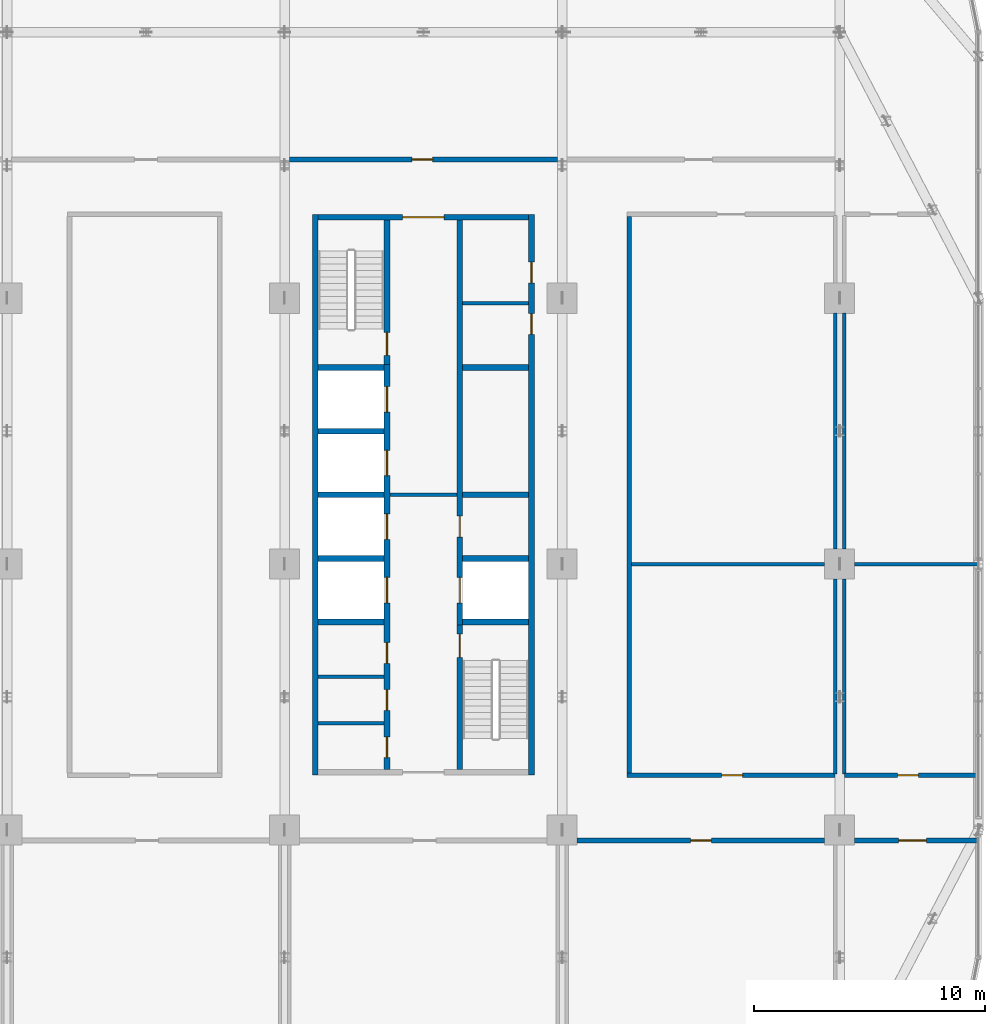
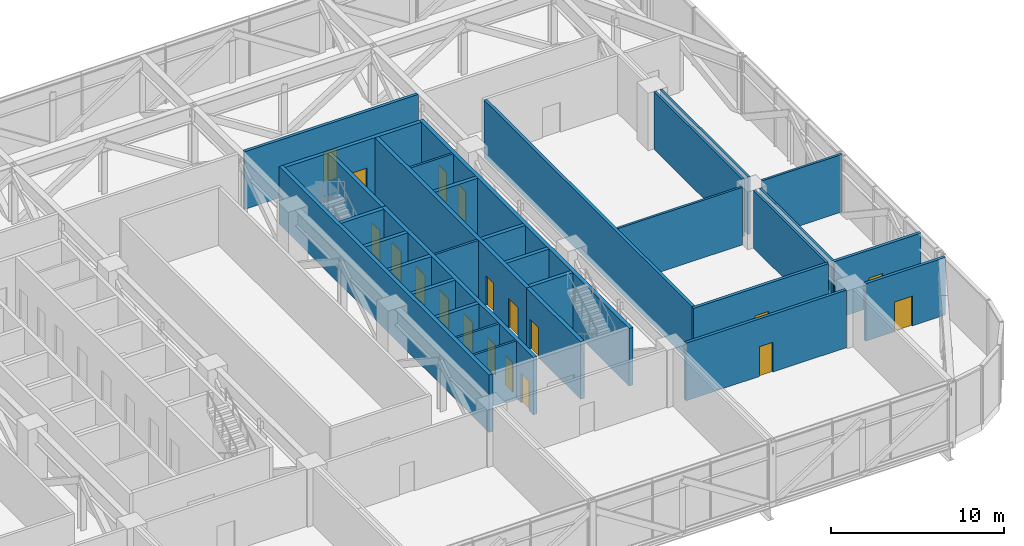
# One storey, part 20 of 30: 32 walls, 19 doors, 19 openings.
"""IFC4 building model written with IfcOpenShell, lengths in metres."""

from ifc_helpers import new_model, si_unit, direction, frame, frame_2d, origin, place, context, subcontext, project, spatial, rectangle, extrude, material, layer, layer_set, type_object, element, fill, save


model = new_model("IFC4")

# Units and contexts
model_context = context("Model", 3, precision=1e-05, world=origin(), true_north=direction((0.0, 1.0)))
body_context = subcontext(model_context, "Body", "Model", "MODEL_VIEW")
ifc_project = project(units=[si_unit("LENGTHUNIT", "METRE"), si_unit("AREAUNIT", "SQUARE_METRE"), si_unit("VOLUMEUNIT", "CUBIC_METRE"), si_unit("PLANEANGLEUNIT", "RADIAN"), si_unit("MASSUNIT", "GRAM", prefix="KILO")], contexts=[model_context])

# Site, building, storey
site_placement = place(None, origin())
site = spatial("IfcSite", under=ifc_project, at=site_placement, CompositionType="ELEMENT")
building_placement = place(site_placement, origin())
building = spatial("IfcBuilding", under=site, at=building_placement, Name="Mahtab Terrace Research Tower", CompositionType="ELEMENT")
storey_placement = place(building_placement, frame((0.0, 0.0, 154.800048828125)))
storey = spatial("IfcBuildingStorey", under=building, at=storey_placement, Name="L36", CompositionType="ELEMENT", Elevation=154.800048828125)

# Walls
ifc_material_1 = material(Name="Gypsum board partition")
ifc_layer_1 = layer(ifc_material_1, 0.14990234375)
ifc_layer_set_1 = layer_set([ifc_layer_1], Name="Core partition 150")
wall_type_1 = type_object("IfcWallType", Name="Core partition 150", PredefinedType="PARTITIONING", material=ifc_layer_set_1)
wall_1_placement = place(storey_placement, frame((22.550048828125, 3.0, 0.0), z_axis=(0.0, 0.0, 1.0), x_axis=(1.0, 0.0, 0.0)))
element("IfcWall", 1, at=wall_1_placement, inside=storey, type_object=wall_type_1, Name="Core wall C ffl", PredefinedType="PARTITIONING", context=body_context, shape_type="SweptSolid", body=[
    extrude(rectangle(XDim=2.89990234375, YDim=0.14990234375, at=frame_2d((1.449951171875, 0.0))), origin(), (0.0, 0.0, 1.0), 4.06005859375),
])
for number, where, z_axis, x_axis, name in (
    (2, (19.449951171875, -6.875, 0.0), (0.0, 0.0, 1.0), (1.0, 0.0, 0.0), "Core wall C pWS-988"),
    (3, (19.449951171875, -4.875, 0.0), (0.0, 0.0, 1.0), (1.0, 0.0, 0.0), "Core wall C pWS-788"),
    (4, (25.699951171875, 11.27490234375, 0.0), (0.0, 0.0, 1.0), (1.0, 0.0, 0.0), "Core wall C pEN828"),
):
    element("IfcWall", number, at=place(storey_placement, frame(where, z_axis=z_axis, x_axis=x_axis)), inside=storey, type_object=wall_type_1, Name=name, PredefinedType="PARTITIONING", context=body_context, shape_type="SweptSolid", body=[
        extrude(rectangle(XDim=2.85009765625, YDim=0.14990234375, at=frame_2d((1.425048828125, 0.0))), origin(), (0.0, 0.0, 1.0), 4.06005859375),
    ])
ifc_material_2 = material(Name="Concrete C70/85", Category="concrete")
ifc_layer_2 = layer(ifc_material_2, 0.25)
ifc_layer_set_2 = layer_set([ifc_layer_2], Name="Core wall 250")
wall_type_2 = type_object("IfcWallType", Name="Core wall 250", PredefinedType="SOLIDWALL", material=ifc_layer_set_2)
wall_2_placement = place(storey_placement, frame((19.324951171875, 15.125, 0.0), z_axis=(0.0, 0.0, 1.0), x_axis=(0.0, -1.0, 0.0)))
element("IfcWall", 5, at=wall_2_placement, inside=storey, type_object=wall_type_2, Name="Core wall C outerW", PredefinedType="SOLIDWALL", context=body_context, shape_type="SweptSolid", body=[
    extrude(rectangle(XDim=24.25, YDim=0.25, at=frame_2d((12.125, 0.0))), origin(), (0.0, 0.0, 1.0), 4.06005859375),
])

# Wall, openings, doors
wall_3_placement = place(storey_placement, frame((28.675048828125, -9.125, 0.0), z_axis=(0.0, 0.0, 1.0), x_axis=(0.0, 1.0, 0.0)))
wall_3 = element("IfcWall", 6, at=wall_3_placement, inside=storey, type_object=wall_type_2, Name="Core wall C outerE", PredefinedType="SOLIDWALL", context=body_context, shape_type="SweptSolid", body=[
    extrude(rectangle(XDim=24.25, YDim=0.25, at=frame_2d((12.125, 0.0))), origin(), (0.0, 0.0, 1.0), 4.06005859375),
])
opening_1_placement = place(wall_3_placement, frame((19.0615234375, 0.0, 0.0)))
opening_1 = element("IfcOpeningElement", 7, at=opening_1_placement, cuts=wall_3, Name="Opening C-R6", PredefinedType="OPENING", context=body_context, shape_type="SweptSolid", body=[
    extrude(rectangle(XDim=0.89990234375, YDim=2.10009765625, at=frame_2d((0.449951171875, 1.050048828125))), frame((0.0, 0.135009765625, 0.0), z_axis=(0.0, -1.0, 0.0), x_axis=(1.0, 0.0, 0.0)), (0.0, 0.0, 1.0), 0.27001953125),
])
opening_2_placement = place(wall_3_placement, frame((21.28857421875, 0.0, 0.0)))
opening_2 = element("IfcOpeningElement", 8, at=opening_2_placement, cuts=wall_3, Name="Opening C-R7", PredefinedType="OPENING", context=body_context, shape_type="SweptSolid", body=[
    extrude(rectangle(XDim=0.89990234375, YDim=2.10009765625, at=frame_2d((0.449951171875, 1.050048828125))), frame((0.0, 0.135009765625, 0.0), z_axis=(0.0, -1.0, 0.0), x_axis=(1.0, 0.0, 0.0)), (0.0, 0.0, 1.0), 0.27001953125),
])
ifc_material_3 = material(Name="Steel fire door", Category="steel")
door_type_1 = type_object("IfcDoorType", Name="Room door 900x2100 1 HR", OperationType="NOTDEFINED", PredefinedType="DOOR", material=ifc_material_3)
door_1_placement = place(opening_1_placement, origin())
door_1 = element("IfcDoor", 9, at=door_1_placement, inside=storey, type_object=door_type_1, Name="Mechanical riser room door", OperationType="SINGLE_SWING_LEFT", OverallHeight=2.10009765625, OverallWidth=0.89990234375, PredefinedType="DOOR", context=body_context, shape_type="SweptSolid", body=[
    extrude(rectangle(XDim=0.89990234375, YDim=2.10009765625, at=frame_2d((0.449951171875, 1.050048828125))), frame((0.0, 0.02490234375, 0.0), z_axis=(0.0, -1.0, 0.0), x_axis=(1.0, 0.0, 0.0)), (0.0, 0.0, 1.0), 0.050048828125),
])
fill(opening_1, door_1)
door_2_placement = place(opening_2_placement, origin())
door_2 = element("IfcDoor", 10, at=door_2_placement, inside=storey, type_object=door_type_1, Name="Chemical store door", OperationType="SINGLE_SWING_RIGHT", OverallHeight=2.10009765625, OverallWidth=0.89990234375, PredefinedType="DOOR", context=body_context, shape_type="SweptSolid", body=[
    extrude(rectangle(XDim=0.89990234375, YDim=2.10009765625, at=frame_2d((0.449951171875, 1.050048828125))), frame((0.0, 0.02490234375, 0.0), z_axis=(0.0, -1.0, 0.0), x_axis=(1.0, 0.0, 0.0)), (0.0, 0.0, 1.0), 0.050048828125),
])
fill(opening_2, door_2)

# Wall, opening, door
wall_4_placement = place(storey_placement, frame((19.449951171875, 15.0, 0.0), z_axis=(0.0, 0.0, 1.0), x_axis=(1.0, 0.0, 0.0)))
wall_4 = element("IfcWall", 11, at=wall_4_placement, inside=storey, type_object=wall_type_2, Name="Core wall C endN", PredefinedType="SOLIDWALL", context=body_context, shape_type="SweptSolid", body=[
    extrude(rectangle(XDim=9.10009765625, YDim=0.25, at=frame_2d((4.550048828125, 0.0))), origin(), (0.0, 0.0, 1.0), 4.06005859375),
])
opening_3_placement = place(wall_4_placement, frame((3.64990234375, 0.0, 0.0)))
opening_3 = element("IfcOpeningElement", 12, at=opening_3_placement, cuts=wall_4, Name="Opening C-N1", PredefinedType="OPENING", context=body_context, shape_type="SweptSolid", body=[
    extrude(rectangle(XDim=1.800048828125, YDim=2.10009765625, at=frame_2d((0.89990234375, 1.050048828125))), frame((0.0, 0.135009765625, 0.0), z_axis=(0.0, -1.0, 0.0), x_axis=(1.0, 0.0, 0.0)), (0.0, 0.0, 1.0), 0.27001953125),
])
door_type_2 = type_object("IfcDoorType", Name="Lobby double door 1800x2100 1 HR", OperationType="DOUBLE_DOOR_SINGLE_SWING", PredefinedType="DOOR", material=ifc_material_3)
door_3_placement = place(opening_3_placement, origin())
door_3 = element("IfcDoor", 13, at=door_3_placement, inside=storey, type_object=door_type_2, Name="Core entrance door C N", OperationType="DOUBLE_DOOR_SINGLE_SWING", OverallHeight=2.10009765625, OverallWidth=1.800048828125, PredefinedType="DOOR", context=body_context, shape_type="SweptSolid", body=[
    extrude(rectangle(XDim=1.800048828125, YDim=2.10009765625, at=frame_2d((0.89990234375, 1.050048828125))), frame((0.0, 0.02490234375, 0.0), z_axis=(0.0, -1.0, 0.0), x_axis=(1.0, 0.0, 0.0)), (0.0, 0.0, 1.0), 0.050048828125),
])
fill(opening_3, door_3)

# Wall, openings, doors
wall_5_placement = place(storey_placement, frame((22.425048828125, -8.875, 0.0), z_axis=(0.0, 0.0, 1.0), x_axis=(0.0, 1.0, 0.0)))
wall_5 = element("IfcWall", 14, at=wall_5_placement, inside=storey, type_object=wall_type_2, Name="Core wall C innerWSL", PredefinedType="SOLIDWALL", context=body_context, shape_type="SweptSolid", body=[
    extrude(rectangle(XDim=17.5, YDim=0.25, at=frame_2d((8.75, 0.0))), origin(), (0.0, 0.0, 1.0), 4.06005859375),
])
opening_4_placement = place(wall_5_placement, frame((7.199951171875, 0.0, 0.0)))
opening_4 = element("IfcOpeningElement", 15, at=opening_4_placement, cuts=wall_5, Name="Opening LD17-L36", PredefinedType="OPENING", context=body_context, shape_type="SweptSolid", body=[
    extrude(rectangle(XDim=1.10009765625, YDim=2.10009765625, at=frame_2d((0.550048828125, 1.050048828125))), frame((0.0, 0.135009765625, 0.0), z_axis=(0.0, -1.0, 0.0), x_axis=(1.0, 0.0, 0.0)), (0.0, 0.0, 1.0), 0.27001953125),
])
opening_5_placement = place(wall_5_placement, frame((9.949951171875, 0.0, 0.0)))
opening_5 = element("IfcOpeningElement", 16, at=opening_5_placement, cuts=wall_5, Name="Opening LD18-L36", PredefinedType="OPENING", context=body_context, shape_type="SweptSolid", body=[
    extrude(rectangle(XDim=1.10009765625, YDim=2.10009765625, at=frame_2d((0.550048828125, 1.050048828125))), frame((0.0, 0.135009765625, 0.0), z_axis=(0.0, -1.0, 0.0), x_axis=(1.0, 0.0, 0.0)), (0.0, 0.0, 1.0), 0.27001953125),
])
opening_6_placement = place(wall_5_placement, frame((12.699951171875, 0.0, 0.0)))
opening_6 = element("IfcOpeningElement", 17, at=opening_6_placement, cuts=wall_5, Name="Opening LD19-L36", PredefinedType="OPENING", context=body_context, shape_type="SweptSolid", body=[
    extrude(rectangle(XDim=1.10009765625, YDim=2.10009765625, at=frame_2d((0.550048828125, 1.050048828125))), frame((0.0, 0.135009765625, 0.0), z_axis=(0.0, -1.0, 0.0), x_axis=(1.0, 0.0, 0.0)), (0.0, 0.0, 1.0), 0.27001953125),
])
opening_7_placement = place(wall_5_placement, frame((15.449951171875, 0.0, 0.0)))
opening_7 = element("IfcOpeningElement", 18, at=opening_7_placement, cuts=wall_5, Name="Opening LD20-L36", PredefinedType="OPENING", context=body_context, shape_type="SweptSolid", body=[
    extrude(rectangle(XDim=1.10009765625, YDim=2.10009765625, at=frame_2d((0.550048828125, 1.050048828125))), frame((0.0, 0.135009765625, 0.0), z_axis=(0.0, -1.0, 0.0), x_axis=(1.0, 0.0, 0.0)), (0.0, 0.0, 1.0), 0.27001953125),
])
opening_8_placement = place(wall_5_placement, frame((0.512451171875, 0.0, 0.0)))
opening_8 = element("IfcOpeningElement", 19, at=opening_8_placement, cuts=wall_5, Name="Opening C-R3", PredefinedType="OPENING", context=body_context, shape_type="SweptSolid", body=[
    extrude(rectangle(XDim=0.89990234375, YDim=2.10009765625, at=frame_2d((0.449951171875, 1.050048828125))), frame((0.0, 0.135009765625, 0.0), z_axis=(0.0, -1.0, 0.0), x_axis=(1.0, 0.0, 0.0)), (0.0, 0.0, 1.0), 0.27001953125),
])
opening_9_placement = place(wall_5_placement, frame((2.550048828125, 0.0, 0.0)))
opening_9 = element("IfcOpeningElement", 20, at=opening_9_placement, cuts=wall_5, Name="Opening C-R4", PredefinedType="OPENING", context=body_context, shape_type="SweptSolid", body=[
    extrude(rectangle(XDim=0.89990234375, YDim=2.10009765625, at=frame_2d((0.449951171875, 1.050048828125))), frame((0.0, 0.135009765625, 0.0), z_axis=(0.0, -1.0, 0.0), x_axis=(1.0, 0.0, 0.0)), (0.0, 0.0, 1.0), 0.27001953125),
])
opening_10_placement = place(wall_5_placement, frame((4.58740234375, 0.0, 0.0)))
opening_10 = element("IfcOpeningElement", 21, at=opening_10_placement, cuts=wall_5, Name="Opening C-R5", PredefinedType="OPENING", context=body_context, shape_type="SweptSolid", body=[
    extrude(rectangle(XDim=0.89990234375, YDim=2.10009765625, at=frame_2d((0.449951171875, 1.050048828125))), frame((0.0, 0.135009765625, 0.0), z_axis=(0.0, -1.0, 0.0), x_axis=(1.0, 0.0, 0.0)), (0.0, 0.0, 1.0), 0.27001953125),
])
ifc_material_4 = material(Name="Stainless steel AISI 304", Category="steel")
door_type_3 = type_object("IfcDoorType", Name="Landing door 1100x2100", OperationType="DOUBLE_DOOR_SLIDING", PredefinedType="DOOR", material=ifc_material_4)
door_4_placement = place(opening_4_placement, origin())
door_4 = element("IfcDoor", 22, at=door_4_placement, inside=storey, type_object=door_type_3, Name="Landing door SV1 L36", OperationType="DOUBLE_DOOR_SLIDING", OverallHeight=2.10009765625, OverallWidth=1.10009765625, PredefinedType="DOOR", context=body_context, shape_type="SweptSolid", body=[
    extrude(rectangle(XDim=1.10009765625, YDim=2.10009765625, at=frame_2d((0.550048828125, 1.050048828125))), frame((0.0, 0.02490234375, 0.0), z_axis=(0.0, -1.0, 0.0), x_axis=(1.0, 0.0, 0.0)), (0.0, 0.0, 1.0), 0.050048828125),
])
fill(opening_4, door_4)
door_5_placement = place(opening_5_placement, origin())
door_5 = element("IfcDoor", 23, at=door_5_placement, inside=storey, type_object=door_type_3, Name="Landing door SV2 L36", OperationType="DOUBLE_DOOR_SLIDING", OverallHeight=2.10009765625, OverallWidth=1.10009765625, PredefinedType="DOOR", context=body_context, shape_type="SweptSolid", body=[
    extrude(rectangle(XDim=1.10009765625, YDim=2.10009765625, at=frame_2d((0.550048828125, 1.050048828125))), frame((0.0, 0.02490234375, 0.0), z_axis=(0.0, -1.0, 0.0), x_axis=(1.0, 0.0, 0.0)), (0.0, 0.0, 1.0), 0.050048828125),
])
fill(opening_5, door_5)
door_6_placement = place(opening_6_placement, origin())
door_6 = element("IfcDoor", 24, at=door_6_placement, inside=storey, type_object=door_type_3, Name="Landing door FF1 L36", OperationType="DOUBLE_DOOR_SLIDING", OverallHeight=2.10009765625, OverallWidth=1.10009765625, PredefinedType="DOOR", context=body_context, shape_type="SweptSolid", body=[
    extrude(rectangle(XDim=1.10009765625, YDim=2.10009765625, at=frame_2d((0.550048828125, 1.050048828125))), frame((0.0, 0.02490234375, 0.0), z_axis=(0.0, -1.0, 0.0), x_axis=(1.0, 0.0, 0.0)), (0.0, 0.0, 1.0), 0.050048828125),
])
fill(opening_6, door_6)
door_7_placement = place(opening_7_placement, origin())
door_7 = element("IfcDoor", 25, at=door_7_placement, inside=storey, type_object=door_type_3, Name="Landing door FF2 L36", OperationType="DOUBLE_DOOR_SLIDING", OverallHeight=2.10009765625, OverallWidth=1.10009765625, PredefinedType="DOOR", context=body_context, shape_type="SweptSolid", body=[
    extrude(rectangle(XDim=1.10009765625, YDim=2.10009765625, at=frame_2d((0.550048828125, 1.050048828125))), frame((0.0, 0.02490234375, 0.0), z_axis=(0.0, -1.0, 0.0), x_axis=(1.0, 0.0, 0.0)), (0.0, 0.0, 1.0), 0.050048828125),
])
fill(opening_7, door_7)
door_8_placement = place(opening_8_placement, origin())
door_8 = element("IfcDoor", 26, at=door_8_placement, inside=storey, type_object=door_type_1, Name="Male WC door", OperationType="SINGLE_SWING_RIGHT", OverallHeight=2.10009765625, OverallWidth=0.89990234375, PredefinedType="DOOR", context=body_context, shape_type="SweptSolid", body=[
    extrude(rectangle(XDim=0.89990234375, YDim=2.10009765625, at=frame_2d((0.449951171875, 1.050048828125))), frame((0.0, 0.02490234375, 0.0), z_axis=(0.0, -1.0, 0.0), x_axis=(1.0, 0.0, 0.0)), (0.0, 0.0, 1.0), 0.050048828125),
])
fill(opening_8, door_8)
door_9_placement = place(opening_9_placement, origin())
door_9 = element("IfcDoor", 27, at=door_9_placement, inside=storey, type_object=door_type_1, Name="Female WC door", OperationType="SINGLE_SWING_LEFT", OverallHeight=2.10009765625, OverallWidth=0.89990234375, PredefinedType="DOOR", context=body_context, shape_type="SweptSolid", body=[
    extrude(rectangle(XDim=0.89990234375, YDim=2.10009765625, at=frame_2d((0.449951171875, 1.050048828125))), frame((0.0, 0.02490234375, 0.0), z_axis=(0.0, -1.0, 0.0), x_axis=(1.0, 0.0, 0.0)), (0.0, 0.0, 1.0), 0.050048828125),
])
fill(opening_9, door_9)
door_10_placement = place(opening_10_placement, origin())
door_10 = element("IfcDoor", 28, at=door_10_placement, inside=storey, type_object=door_type_1, Name="Accessible WC door", OperationType="SINGLE_SWING_RIGHT", OverallHeight=2.10009765625, OverallWidth=0.89990234375, PredefinedType="DOOR", context=body_context, shape_type="SweptSolid", body=[
    extrude(rectangle(XDim=0.89990234375, YDim=2.10009765625, at=frame_2d((0.449951171875, 1.050048828125))), frame((0.0, 0.02490234375, 0.0), z_axis=(0.0, -1.0, 0.0), x_axis=(1.0, 0.0, 0.0)), (0.0, 0.0, 1.0), 0.050048828125),
])
fill(opening_10, door_10)

# Wall, opening, door
wall_6_placement = place(storey_placement, frame((22.425048828125, 14.875, 0.0), z_axis=(0.0, 0.0, 1.0), x_axis=(0.0, -1.0, 0.0)))
wall_6 = element("IfcWall", 29, at=wall_6_placement, inside=storey, type_object=wall_type_2, Name="Core wall C innerWN", PredefinedType="SOLIDWALL", context=body_context, shape_type="SweptSolid", body=[
    extrude(rectangle(XDim=6.25, YDim=0.25, at=frame_2d((3.125, 0.0))), origin(), (0.0, 0.0, 1.0), 4.06005859375),
])
opening_11_placement = place(wall_6_placement, frame((4.85009765625, 0.0, 0.0)))
opening_11 = element("IfcOpeningElement", 30, at=opening_11_placement, cuts=wall_6, Name="Opening C-ST3", PredefinedType="OPENING", context=body_context, shape_type="SweptSolid", body=[
    extrude(rectangle(XDim=1.0, YDim=2.10009765625, at=frame_2d((0.5, 1.050048828125))), frame((0.0, 0.135009765625, 0.0), z_axis=(0.0, -1.0, 0.0), x_axis=(1.0, 0.0, 0.0)), (0.0, 0.0, 1.0), 0.27001953125),
])
door_type_4 = type_object("IfcDoorType", Name="Stair door 1000x2100 1.5 HR", OperationType="NOTDEFINED", PredefinedType="DOOR", material=ifc_material_3)
door_11_placement = place(opening_11_placement, origin())
door_11 = element("IfcDoor", 31, at=door_11_placement, inside=storey, type_object=door_type_4, Name="Stair door ST3 L36", OperationType="SINGLE_SWING_LEFT", OverallHeight=2.10009765625, OverallWidth=1.0, PredefinedType="DOOR", context=body_context, shape_type="SweptSolid", body=[
    extrude(rectangle(XDim=1.0, YDim=2.10009765625, at=frame_2d((0.5, 1.050048828125))), frame((0.0, 0.02490234375, 0.0), z_axis=(0.0, -1.0, 0.0), x_axis=(1.0, 0.0, 0.0)), (0.0, 0.0, 1.0), 0.050048828125),
])
fill(opening_11, door_11)

wall_7_placement = place(storey_placement, frame((25.574951171875, -8.875, 0.0), z_axis=(0.0, 0.0, 1.0), x_axis=(0.0, 1.0, 0.0)))
wall_7 = element("IfcWall", 32, at=wall_7_placement, inside=storey, type_object=wall_type_2, Name="Core wall C innerES", PredefinedType="SOLIDWALL", context=body_context, shape_type="SweptSolid", body=[
    extrude(rectangle(XDim=6.25, YDim=0.25, at=frame_2d((3.125, 0.0))), origin(), (0.0, 0.0, 1.0), 4.06005859375),
])
opening_12_placement = place(wall_7_placement, frame((4.85009765625, 0.0, 0.0)))
opening_12 = element("IfcOpeningElement", 33, at=opening_12_placement, cuts=wall_7, Name="Opening C-ST4", PredefinedType="OPENING", context=body_context, shape_type="SweptSolid", body=[
    extrude(rectangle(XDim=1.0, YDim=2.10009765625, at=frame_2d((0.5, 1.050048828125))), frame((0.0, 0.135009765625, 0.0), z_axis=(0.0, -1.0, 0.0), x_axis=(1.0, 0.0, 0.0)), (0.0, 0.0, 1.0), 0.27001953125),
])
door_12_placement = place(opening_12_placement, origin())
door_12 = element("IfcDoor", 34, at=door_12_placement, inside=storey, type_object=door_type_4, Name="Stair door ST4 L36", OperationType="SINGLE_SWING_RIGHT", OverallHeight=2.10009765625, OverallWidth=1.0, PredefinedType="DOOR", context=body_context, shape_type="SweptSolid", body=[
    extrude(rectangle(XDim=1.0, YDim=2.10009765625, at=frame_2d((0.5, 1.050048828125))), frame((0.0, 0.02490234375, 0.0), z_axis=(0.0, -1.0, 0.0), x_axis=(1.0, 0.0, 0.0)), (0.0, 0.0, 1.0), 0.050048828125),
])
fill(opening_12, door_12)

# Wall, openings, doors
wall_8_placement = place(storey_placement, frame((25.574951171875, 14.875, 0.0), z_axis=(0.0, 0.0, 1.0), x_axis=(0.0, -1.0, 0.0)))
wall_8 = element("IfcWall", 35, at=wall_8_placement, inside=storey, type_object=wall_type_2, Name="Core wall C innerELN", PredefinedType="SOLIDWALL", context=body_context, shape_type="SweptSolid", body=[
    extrude(rectangle(XDim=17.5, YDim=0.25, at=frame_2d((8.75, 0.0))), origin(), (0.0, 0.0, 1.0), 4.06005859375),
])
opening_13_placement = place(wall_8_placement, frame((15.449951171875, 0.0, 0.0)))
opening_13 = element("IfcOpeningElement", 36, at=opening_13_placement, cuts=wall_8, Name="Opening LD21-L36", PredefinedType="OPENING", context=body_context, shape_type="SweptSolid", body=[
    extrude(rectangle(XDim=1.10009765625, YDim=2.10009765625, at=frame_2d((0.550048828125, 1.050048828125))), frame((0.0, 0.135009765625, 0.0), z_axis=(0.0, -1.0, 0.0), x_axis=(1.0, 0.0, 0.0)), (0.0, 0.0, 1.0), 0.27001953125),
])
opening_14_placement = place(wall_8_placement, frame((12.800048828125, 0.0, 0.0)))
opening_14 = element("IfcOpeningElement", 37, at=opening_14_placement, cuts=wall_8, Name="Opening C-R1", PredefinedType="OPENING", context=body_context, shape_type="SweptSolid", body=[
    extrude(rectangle(XDim=0.89990234375, YDim=2.10009765625, at=frame_2d((0.449951171875, 1.050048828125))), frame((0.0, 0.135009765625, 0.0), z_axis=(0.0, -1.0, 0.0), x_axis=(1.0, 0.0, 0.0)), (0.0, 0.0, 1.0), 0.27001953125),
])
door_13_placement = place(opening_13_placement, origin())
door_13 = element("IfcDoor", 38, at=door_13_placement, inside=storey, type_object=door_type_3, Name="Landing door SV3 L36", OperationType="DOUBLE_DOOR_SLIDING", OverallHeight=2.10009765625, OverallWidth=1.10009765625, PredefinedType="DOOR", context=body_context, shape_type="SweptSolid", body=[
    extrude(rectangle(XDim=1.10009765625, YDim=2.10009765625, at=frame_2d((0.550048828125, 1.050048828125))), frame((0.0, 0.02490234375, 0.0), z_axis=(0.0, -1.0, 0.0), x_axis=(1.0, 0.0, 0.0)), (0.0, 0.0, 1.0), 0.050048828125),
])
fill(opening_13, door_13)
door_14_placement = place(opening_14_placement, origin())
door_14 = element("IfcDoor", 39, at=door_14_placement, inside=storey, type_object=door_type_1, Name="Plant room door", OperationType="SINGLE_SWING_LEFT", OverallHeight=2.10009765625, OverallWidth=0.89990234375, PredefinedType="DOOR", context=body_context, shape_type="SweptSolid", body=[
    extrude(rectangle(XDim=0.89990234375, YDim=2.10009765625, at=frame_2d((0.449951171875, 1.050048828125))), frame((0.0, 0.02490234375, 0.0), z_axis=(0.0, -1.0, 0.0), x_axis=(1.0, 0.0, 0.0)), (0.0, 0.0, 1.0), 0.050048828125),
])
fill(opening_14, door_14)

# Walls
for number, where, z_axis, x_axis, name in (
    (40, (19.449951171875, -2.5, 0.0), (0.0, 0.0, 1.0), (1.0, 0.0, 0.0), "Core wall C divW0"),
    (41, (19.449951171875, 0.25, 0.0), (0.0, 0.0, 1.0), (1.0, 0.0, 0.0), "Core wall C divW1"),
    (42, (19.449951171875, 3.0, 0.0), (0.0, 0.0, 1.0), (1.0, 0.0, 0.0), "Core wall C divW2"),
    (43, (19.449951171875, 5.75, 0.0), (0.0, 0.0, 1.0), (1.0, 0.0, 0.0), "Core wall C divW3"),
    (44, (19.449951171875, 8.5, 0.0), (0.0, 0.0, 1.0), (1.0, 0.0, 0.0), "Core wall C divW4"),
    (45, (25.699951171875, -2.5, 0.0), (0.0, 0.0, 1.0), (1.0, 0.0, 0.0), "Core wall C divE0"),
    (46, (25.699951171875, 0.25, 0.0), (0.0, 0.0, 1.0), (1.0, 0.0, 0.0), "Core wall C divE1"),
    (47, (25.699951171875, 3.0, 0.0), (0.0, 0.0, 1.0), (1.0, 0.0, 0.0), "Core wall C divE2"),
    (48, (25.699951171875, 8.5, 0.0), (0.0, 0.0, 1.0), (1.0, 0.0, 0.0), "Core wall C divE4"),
):
    element("IfcWall", number, at=place(storey_placement, frame(where, z_axis=z_axis, x_axis=x_axis)), inside=storey, type_object=wall_type_2, Name=name, PredefinedType="SOLIDWALL", context=body_context, shape_type="SweptSolid", body=[
        extrude(rectangle(XDim=2.85009765625, YDim=0.25, at=frame_2d((1.425048828125, 0.0))), origin(), (0.0, 0.0, 1.0), 4.06005859375),
    ])

# Wall, opening, door
ifc_material_5 = material(Name="Gypsum board corridor wall on steel studs", Category="steel")
ifc_layer_3 = layer(ifc_material_5, 0.199951171875)
ifc_layer_set_3 = layer_set([ifc_layer_3], Name="WALL CORRIDOR 200")
wall_type_3 = type_object("IfcWallType", Name="WALL CORRIDOR 200", PredefinedType="PARTITIONING", material=ifc_layer_set_3)
wall_9_placement = place(storey_placement, frame((30.64990234375, -11.949951171875, 0.0), z_axis=(0.0, 0.0, 1.0), x_axis=(1.0, 0.0, 0.0)))
wall_9 = element("IfcWall", 49, at=wall_9_placement, inside=storey, type_object=wall_type_3, Name="L36-W008", PredefinedType="PARTITIONING", context=body_context, shape_type="SweptSolid", body=[
    extrude(rectangle(XDim=10.7001953125, YDim=0.199951171875, at=frame_2d((5.35009765625, 0.0))), origin(), (0.0, 0.0, 1.0), 4.06005859375),
])
opening_15_placement = place(wall_9_placement, frame((4.89990234375, 0.0, 0.0)))
opening_15 = element("IfcOpeningElement", 50, at=opening_15_placement, cuts=wall_9, Name="Opening L36-108", PredefinedType="OPENING", context=body_context, shape_type="SweptSolid", body=[
    extrude(rectangle(XDim=0.89990234375, YDim=2.10009765625, at=frame_2d((0.449951171875, 1.050048828125))), frame((0.0, 0.10986328125, 0.0), z_axis=(0.0, -1.0, 0.0), x_axis=(1.0, 0.0, 0.0)), (0.0, 0.0, 1.0), 0.219970703125),
])
ifc_material_6 = material(Name="Timber door leaf in steel frame", Category="steel")
door_type_5 = type_object("IfcDoorType", Name="DOOR 0900X2100 FD30S", OperationType="SINGLE_SWING_LEFT", PredefinedType="DOOR", material=ifc_material_6)
door_15_placement = place(opening_15_placement, origin())
door_15 = element("IfcDoor", 51, at=door_15_placement, inside=storey, type_object=door_type_5, Name="Door L36-108", OperationType="SINGLE_SWING_RIGHT", OverallHeight=2.10009765625, OverallWidth=0.89990234375, PredefinedType="DOOR", context=body_context, shape_type="SweptSolid", body=[
    extrude(rectangle(XDim=0.89990234375, YDim=2.10009765625, at=frame_2d((0.449951171875, 1.050048828125))), frame((0.0, 0.02490234375, 0.0), z_axis=(0.0, -1.0, 0.0), x_axis=(1.0, 0.0, 0.0)), (0.0, 0.0, 1.0), 0.050048828125),
])
fill(opening_15, door_15)

wall_10_placement = place(storey_placement, frame((42.64990234375, -11.949951171875, 0.0), z_axis=(0.0, 0.0, 1.0), x_axis=(1.0, 0.0, 0.0)))
wall_10 = element("IfcWall", 52, at=wall_10_placement, inside=storey, type_object=wall_type_3, Name="L36-W009", PredefinedType="PARTITIONING", context=body_context, shape_type="SweptSolid", body=[
    extrude(rectangle(XDim=5.3251953125, YDim=0.199951171875, at=frame_2d((2.66259765625, 0.0))), origin(), (0.0, 0.0, 1.0), 4.06005859375),
])
opening_16_placement = place(wall_10_placement, frame((1.89990234375, 0.0, 0.0)))
opening_16 = element("IfcOpeningElement", 53, at=opening_16_placement, cuts=wall_10, Name="Opening L36-109", PredefinedType="OPENING", context=body_context, shape_type="SweptSolid", body=[
    extrude(rectangle(XDim=1.199951171875, YDim=2.10009765625, at=frame_2d((0.60009765625, 1.050048828125))), frame((0.0, 0.10986328125, 0.0), z_axis=(0.0, -1.0, 0.0), x_axis=(1.0, 0.0, 0.0)), (0.0, 0.0, 1.0), 0.219970703125),
])
door_type_6 = type_object("IfcDoorType", Name="DOOR 1200X2100 FD30S", OperationType="SINGLE_SWING_LEFT", PredefinedType="DOOR", material=ifc_material_6)
door_16_placement = place(opening_16_placement, origin())
door_16 = element("IfcDoor", 54, at=door_16_placement, inside=storey, type_object=door_type_6, Name="Door L36-109", OperationType="SINGLE_SWING_LEFT", OverallHeight=2.10009765625, OverallWidth=1.199951171875, PredefinedType="DOOR", context=body_context, shape_type="SweptSolid", body=[
    extrude(rectangle(XDim=1.199951171875, YDim=2.10009765625, at=frame_2d((0.60009765625, 1.050048828125))), frame((0.0, 0.02490234375, 0.0), z_axis=(0.0, -1.0, 0.0), x_axis=(1.0, 0.0, 0.0)), (0.0, 0.0, 1.0), 0.050048828125),
])
fill(opening_16, door_16)

wall_11_placement = place(storey_placement, frame((32.800048828125, -9.125, 0.0), z_axis=(0.0, 0.0, 1.0), x_axis=(1.0, 0.0, 0.0)))
wall_11 = element("IfcWall", 55, at=wall_11_placement, inside=storey, type_object=wall_type_3, Name="L36-W014", PredefinedType="PARTITIONING", context=body_context, shape_type="SweptSolid", body=[
    extrude(rectangle(XDim=9.0, YDim=0.199951171875, at=frame_2d((4.5, 0.0))), origin(), (0.0, 0.0, 1.0), 4.06005859375),
])
opening_17_placement = place(wall_11_placement, frame((4.10009765625, 0.0, 0.0)))
opening_17 = element("IfcOpeningElement", 56, at=opening_17_placement, cuts=wall_11, Name="Opening L36-112", PredefinedType="OPENING", context=body_context, shape_type="SweptSolid", body=[
    extrude(rectangle(XDim=0.89990234375, YDim=2.10009765625, at=frame_2d((0.449951171875, 1.050048828125))), frame((0.0, 0.10986328125, 0.0), z_axis=(0.0, -1.0, 0.0), x_axis=(1.0, 0.0, 0.0)), (0.0, 0.0, 1.0), 0.219970703125),
])
door_17_placement = place(opening_17_placement, origin())
door_17 = element("IfcDoor", 57, at=door_17_placement, inside=storey, type_object=door_type_5, Name="Door L36-112", OperationType="SINGLE_SWING_RIGHT", OverallHeight=2.10009765625, OverallWidth=0.89990234375, PredefinedType="DOOR", context=body_context, shape_type="SweptSolid", body=[
    extrude(rectangle(XDim=0.89990234375, YDim=2.10009765625, at=frame_2d((0.449951171875, 1.050048828125))), frame((0.0, 0.02490234375, 0.0), z_axis=(0.0, -1.0, 0.0), x_axis=(1.0, 0.0, 0.0)), (0.0, 0.0, 1.0), 0.050048828125),
])
fill(opening_17, door_17)

wall_12_placement = place(storey_placement, frame((42.199951171875, -9.125, 0.0), z_axis=(0.0, 0.0, 1.0), x_axis=(1.0, 0.0, 0.0)))
wall_12 = element("IfcWall", 58, at=wall_12_placement, inside=storey, type_object=wall_type_3, Name="L36-W015", PredefinedType="PARTITIONING", context=body_context, shape_type="SweptSolid", body=[
    extrude(rectangle(XDim=5.775146484375, YDim=0.199951171875, at=frame_2d((2.8876953125, 0.0))), origin(), (0.0, 0.0, 1.0), 4.06005859375),
])
opening_18_placement = place(wall_12_placement, frame((2.300048828125, 0.0, 0.0)))
opening_18 = element("IfcOpeningElement", 59, at=opening_18_placement, cuts=wall_12, Name="Opening L36-113", PredefinedType="OPENING", context=body_context, shape_type="SweptSolid", body=[
    extrude(rectangle(XDim=0.89990234375, YDim=2.10009765625, at=frame_2d((0.449951171875, 1.050048828125))), frame((0.0, 0.10986328125, 0.0), z_axis=(0.0, -1.0, 0.0), x_axis=(1.0, 0.0, 0.0)), (0.0, 0.0, 1.0), 0.219970703125),
])
door_18_placement = place(opening_18_placement, origin())
door_18 = element("IfcDoor", 60, at=door_18_placement, inside=storey, type_object=door_type_5, Name="Door L36-113", OperationType="SINGLE_SWING_LEFT", OverallHeight=2.10009765625, OverallWidth=0.89990234375, PredefinedType="DOOR", context=body_context, shape_type="SweptSolid", body=[
    extrude(rectangle(XDim=0.89990234375, YDim=2.10009765625, at=frame_2d((0.449951171875, 1.050048828125))), frame((0.0, 0.02490234375, 0.0), z_axis=(0.0, -1.0, 0.0), x_axis=(1.0, 0.0, 0.0)), (0.0, 0.0, 1.0), 0.050048828125),
])
fill(opening_18, door_18)

wall_13_placement = place(storey_placement, frame((18.199951171875, 17.5, 0.0), z_axis=(0.0, 0.0, 1.0), x_axis=(1.0, 0.0, 0.0)))
wall_13 = element("IfcWall", 61, at=wall_13_placement, inside=storey, type_object=wall_type_3, Name="L36-W032", PredefinedType="PARTITIONING", context=body_context, shape_type="SweptSolid", body=[
    extrude(rectangle(XDim=11.60009765625, YDim=0.199951171875, at=frame_2d((5.800048828125, 0.0))), origin(), (0.0, 0.0, 1.0), 4.06005859375),
])
opening_19_placement = place(wall_13_placement, frame((5.300048828125, 0.0, 0.0)))
opening_19 = element("IfcOpeningElement", 62, at=opening_19_placement, cuts=wall_13, Name="Opening L36-126", PredefinedType="OPENING", context=body_context, shape_type="SweptSolid", body=[
    extrude(rectangle(XDim=0.89990234375, YDim=2.10009765625, at=frame_2d((0.449951171875, 1.050048828125))), frame((0.0, 0.10986328125, 0.0), z_axis=(0.0, -1.0, 0.0), x_axis=(1.0, 0.0, 0.0)), (0.0, 0.0, 1.0), 0.219970703125),
])
door_19_placement = place(opening_19_placement, origin())
door_19 = element("IfcDoor", 63, at=door_19_placement, inside=storey, type_object=door_type_5, Name="Door L36-126", OperationType="SINGLE_SWING_LEFT", OverallHeight=2.10009765625, OverallWidth=0.89990234375, PredefinedType="DOOR", context=body_context, shape_type="SweptSolid", body=[
    extrude(rectangle(XDim=0.89990234375, YDim=2.10009765625, at=frame_2d((0.449951171875, 1.050048828125))), frame((0.0, 0.02490234375, 0.0), z_axis=(0.0, -1.0, 0.0), x_axis=(1.0, 0.0, 0.0)), (0.0, 0.0, 1.0), 0.050048828125),
])
fill(opening_19, door_19)

# Walls
wall_14_placement = place(storey_placement, frame((32.89990234375, -9.02490234375, 0.0), z_axis=(0.0, 0.0, 1.0), x_axis=(0.0, 1.0, 0.0)))
element("IfcWall", 64, at=wall_14_placement, inside=storey, type_object=wall_type_3, Name="L36-W055", PredefinedType="PARTITIONING", context=body_context, shape_type="SweptSolid", body=[
    extrude(rectangle(XDim=24.0498046875, YDim=0.199951171875, at=frame_2d((12.02490234375, 0.0))), origin(), (0.0, 0.0, 1.0), 4.06005859375),
])
ifc_material_7 = material(Name="Gypsum board partition on steel studs", Category="steel")
ifc_layer_4 = layer(ifc_material_7, 0.14990234375)
ifc_layer_set_4 = layer_set([ifc_layer_4], Name="WALL PARTITION 150")
wall_type_4 = type_object("IfcWallType", Name="WALL PARTITION 150", PredefinedType="PARTITIONING", material=ifc_layer_set_4)
wall_15_placement = place(storey_placement, frame((33.0, 0.0, 0.0), z_axis=(0.0, 0.0, 1.0), x_axis=(1.0, 0.0, 0.0)))
element("IfcWall", 65, at=wall_15_placement, inside=storey, type_object=wall_type_4, Name="L36-W018", PredefinedType="PARTITIONING", context=body_context, shape_type="SweptSolid", body=[
    extrude(rectangle(XDim=8.35009765625, YDim=0.14990234375, at=frame_2d((4.175048828125, 0.0))), origin(), (0.0, 0.0, 1.0), 4.06005859375),
])
wall_16_placement = place(storey_placement, frame((42.64990234375, 0.0, 0.0), z_axis=(0.0, 0.0, 1.0), x_axis=(1.0, 0.0, 0.0)))
element("IfcWall", 66, at=wall_16_placement, inside=storey, type_object=wall_type_4, Name="L36-W019", PredefinedType="PARTITIONING", context=body_context, shape_type="SweptSolid", body=[
    extrude(rectangle(XDim=5.3251953125, YDim=0.14990234375, at=frame_2d((2.66259765625, 0.0))), origin(), (0.0, 0.0, 1.0), 4.06005859375),
])
wall_17_placement = place(storey_placement, frame((41.800048828125, -9.074951171875, 0.0), z_axis=(0.0, 0.0, 1.0), x_axis=(0.0, 1.0, 0.0)))
element("IfcWall", 67, at=wall_17_placement, inside=storey, type_object=wall_type_4, Name="L36-W057", PredefinedType="PARTITIONING", context=body_context, shape_type="SweptSolid", body=[
    extrude(rectangle(XDim=8.425048828125, YDim=0.14990234375, at=frame_2d((4.21240234375, 0.0))), origin(), (0.0, 0.0, 1.0), 4.06005859375),
])
wall_18_placement = place(storey_placement, frame((41.800048828125, 0.64990234375, 0.0), z_axis=(0.0, 0.0, 1.0), x_axis=(0.0, 1.0, 0.0)))
element("IfcWall", 68, at=wall_18_placement, inside=storey, type_object=wall_type_4, Name="L36-W058", PredefinedType="PARTITIONING", context=body_context, shape_type="SweptSolid", body=[
    extrude(rectangle(XDim=10.2001953125, YDim=0.14990234375, at=frame_2d((5.10009765625, 0.0))), origin(), (0.0, 0.0, 1.0), 4.06005859375),
])
wall_19_placement = place(storey_placement, frame((42.199951171875, -9.074951171875, 0.0), z_axis=(0.0, 0.0, 1.0), x_axis=(0.0, 1.0, 0.0)))
element("IfcWall", 69, at=wall_19_placement, inside=storey, type_object=wall_type_4, Name="L36-W060", PredefinedType="PARTITIONING", context=body_context, shape_type="SweptSolid", body=[
    extrude(rectangle(XDim=8.425048828125, YDim=0.14990234375, at=frame_2d((4.21240234375, 0.0))), origin(), (0.0, 0.0, 1.0), 4.06005859375),
])
wall_20_placement = place(storey_placement, frame((42.199951171875, 0.64990234375, 0.0), z_axis=(0.0, 0.0, 1.0), x_axis=(0.0, 1.0, 0.0)))
element("IfcWall", 70, at=wall_20_placement, inside=storey, type_object=wall_type_4, Name="L36-W061", PredefinedType="PARTITIONING", context=body_context, shape_type="SweptSolid", body=[
    extrude(rectangle(XDim=10.2001953125, YDim=0.14990234375, at=frame_2d((5.10009765625, 0.0))), origin(), (0.0, 0.0, 1.0), 4.06005859375),
])

save(model, "model.ifc")
